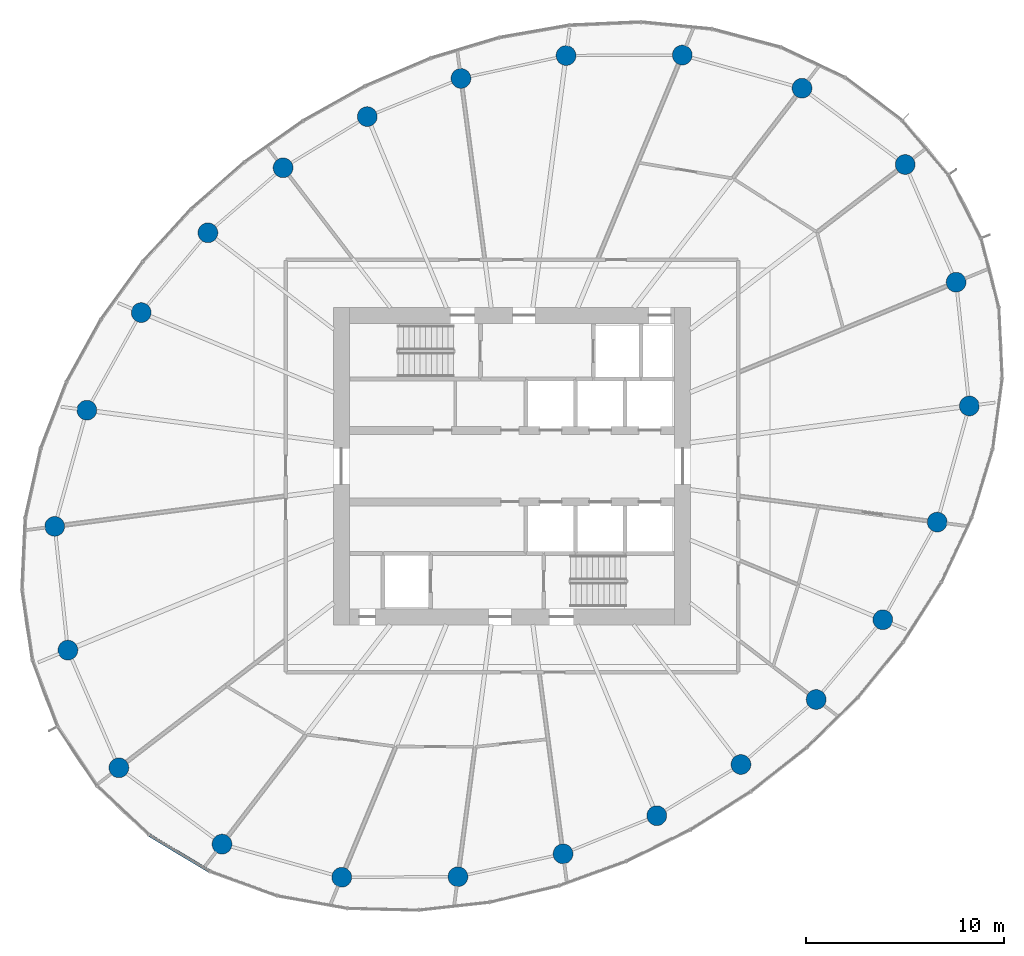
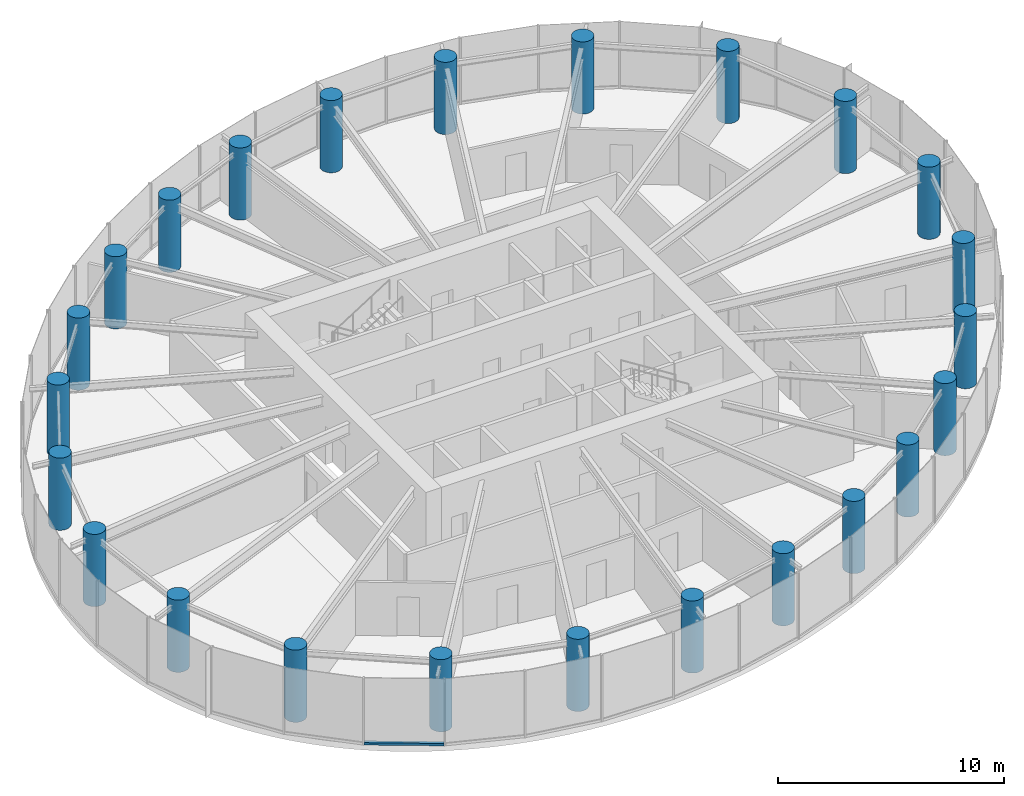
# One storey, part 1 of 14: 24 columns, 1 member, 1 element without a shape of its own.
"""IFC4 building model written with IfcOpenShell, lengths in metres."""

from ifc_helpers import new_model, si_unit, direction, frame, origin, origin_2d, place, context, subcontext, project, spatial, rectangle, circle, extrude, source, transform, mapped, material, layer, layer_set, material_profile, profile_set, type_object, element, aggregate, save


model = new_model("IFC4")

# Units and contexts
model_context = context("Model", 3, precision=1e-05, world=origin(), true_north=direction((0.0, 1.0)))
body_context = subcontext(model_context, "Body", "Model", "MODEL_VIEW")
ifc_project = project(units=[si_unit("LENGTHUNIT", "METRE"), si_unit("AREAUNIT", "SQUARE_METRE"), si_unit("VOLUMEUNIT", "CUBIC_METRE"), si_unit("PLANEANGLEUNIT", "RADIAN"), si_unit("MASSUNIT", "GRAM", prefix="KILO")], contexts=[model_context])

# Site, building, storey
site_placement = place(None, origin())
site = spatial("IfcSite", under=ifc_project, at=site_placement, CompositionType="ELEMENT")
building_placement = place(site_placement, origin())
building = spatial("IfcBuilding", under=site, at=building_placement, Name="Spindrift Exchange Tower", CompositionType="ELEMENT")
storey_placement = place(building_placement, frame((0.0, 0.0, 140.89990234375)))
storey = spatial("IfcBuildingStorey", under=building, at=storey_placement, Name="L33", CompositionType="ELEMENT", Elevation=140.89990234375)

# Columns
ifc_material_1 = material(Name="Concrete 50 MPa", Category="concrete")
ifc_material_profile_1 = material_profile(ifc_material_1, circle(Radius=0.5, at=origin_2d()), Name="RC D1000")
ifc_profile_set_1 = profile_set([ifc_material_profile_1], Name="Concrete 50 MPa")
column_type = type_object("IfcColumnType", Name="RC Perimeter Column D1000 Concrete 50 MPa", PredefinedType="COLUMN", material=ifc_profile_set_1)
shared_shape_1 = source(origin(), body_context, "Body", "SweptSolid", [
    extrude(circle(Radius=0.5, at=origin_2d()), origin(), (0.0, 0.0, 1.0), 3.900146484375),
])
for number, where, z_axis, x_axis, name in (
    (1, (75.06201171875, 51.0361328125, 0.0), (0.0, 0.0, 1.0), (1.0, 0.0, 0.0), "Perimeter column P3-01 L33"),
    (2, (74.396728515625, 57.277099609375, 0.0), (0.0, 0.0, 1.0), (1.0, 0.0, 0.0), "Perimeter column P3-02 L33"),
    (3, (71.825927734375, 63.212890625, 0.0), (0.0, 0.0, 1.0), (1.0, 0.0, 0.0), "Perimeter column P3-03 L33"),
    (4, (66.625, 67.0595703125, 0.0), (0.0, 0.0, 1.0), (1.0, 0.0, 0.0), "Perimeter column P3-04 L33"),
    (5, (60.5869140625, 68.73095703125, 0.0), (0.0, 0.0, 1.0), (1.0, 0.0, 0.0), "Perimeter column P3-05 L33"),
    (6, (54.725830078125, 68.705322265625, 0.0), (0.0, 0.0, 1.0), (1.0, 0.0, 0.0), "Perimeter column P3-06 L33"),
    (7, (49.426025390625, 67.55126953125, 0.0), (0.0, 0.0, 1.0), (1.0, 0.0, 0.0), "Perimeter column P3-07 L33"),
    (8, (44.69921875, 65.625732421875, 0.0), (0.0, 0.0, 1.0), (1.0, 0.0, 0.0), "Perimeter column P3-08 L33"),
    (9, (40.4560546875, 63.04443359375, 0.0), (0.0, 0.0, 1.0), (1.0, 0.0, 0.0), "Perimeter column P3-09 L33"),
    (10, (36.663818359375, 59.76806640625, 0.0), (0.0, 0.0, 1.0), (1.0, 0.0, 0.0), "Perimeter column P3-10 L33"),
    (11, (33.30078125, 55.74560546875, 0.0), (0.0, 0.0, 1.0), (1.0, 0.0, 0.0), "Perimeter column P3-11 L33"),
    (12, (30.55908203125, 50.82275390625, 0.0), (0.0, 0.0, 1.0), (1.0, 0.0, 0.0), "Perimeter column P3-12 L33"),
    (13, (28.93798828125, 44.9638671875, 0.0), (0.0, 0.0, 1.0), (1.0, 0.0, 0.0), "Perimeter column P3-13 L33"),
    (14, (29.603271484375, 38.722900390625, 0.0), (0.0, 0.0, 1.0), (1.0, 0.0, 0.0), "Perimeter column P3-14 L33"),
    (15, (32.174072265625, 32.787109375, 0.0), (0.0, 0.0, 1.0), (1.0, 0.0, 0.0), "Perimeter column P3-15 L33"),
    (16, (37.375, 28.9404296875, 0.0), (0.0, 0.0, 1.0), (1.0, 0.0, 0.0), "Perimeter column P3-16 L33"),
    (17, (43.4130859375, 27.26904296875, 0.0), (0.0, 0.0, 1.0), (1.0, 0.0, 0.0), "Perimeter column P3-17 L33"),
    (18, (49.274169921875, 27.294677734375, 0.0), (0.0, 0.0, 1.0), (1.0, 0.0, 0.0), "Perimeter column P3-18 L33"),
    (19, (54.573974609375, 28.44873046875, 0.0), (0.0, 0.0, 1.0), (1.0, 0.0, 0.0), "Perimeter column P3-19 L33"),
    (20, (59.30078125, 30.374267578125, 0.0), (0.0, 0.0, 1.0), (1.0, 0.0, 0.0), "Perimeter column P3-20 L33"),
    (21, (63.5439453125, 32.95556640625, 0.0), (0.0, 0.0, 1.0), (1.0, 0.0, 0.0), "Perimeter column P3-21 L33"),
    (22, (67.336181640625, 36.23193359375, 0.0), (0.0, 0.0, 1.0), (1.0, 0.0, 0.0), "Perimeter column P3-22 L33"),
    (23, (70.69921875, 40.25439453125, 0.0), (0.0, 0.0, 1.0), (1.0, 0.0, 0.0), "Perimeter column P3-23 L33"),
    (24, (73.44091796875, 45.17724609375, 0.0), (0.0, 0.0, 1.0), (1.0, 0.0, 0.0), "Perimeter column P3-24 L33"),
):
    element("IfcColumn", number, at=place(storey_placement, frame(where, z_axis=z_axis, x_axis=x_axis)), inside=storey, type_object=column_type, Name=name, PredefinedType="COLUMN", context=body_context, shape_type="MappedRepresentation", body=[
        mapped(shared_shape_1, transform((0.0, 0.0, 0.0), scale=1.0)),
    ])

# Curtain wall, member
ifc_material_2 = material(Name="Fritted laminated glass with bronze frame", Category="glass")
ifc_layer = layer(ifc_material_2, 0.179931640625)
ifc_layer_set = layer_set([ifc_layer], Name="ZONE 3 BRONZE FRITTED WALL")
curtain_wall_type = type_object("IfcCurtainWallType", Name="ZONE 3 BRONZE FRITTED WALL", PredefinedType="NOTDEFINED", material=ifc_layer_set)
curtain_wall_placement = place(storey_placement, origin())
curtain_wall = element("IfcCurtainWall", 25, at=curtain_wall_placement, inside=storey, type_object=curtain_wall_type, Name="L33 Zone 3 Bronze Fritted Wall run 4", PredefinedType="NOTDEFINED")
ifc_material_3 = material(Name="Bronze anodised aluminium", Category="aluminium")
ifc_material_profile_2 = material_profile(ifc_material_3, rectangle(XDim=0.159912109375, YDim=0.1298828125, at=origin_2d()), Name="ZONE 3 BRONZE FRITTED WALL TRANSOM 160X130")
ifc_profile_set_2 = profile_set([ifc_material_profile_2], Name="Bronze anodised aluminium")
member_type = type_object("IfcMemberType", Name="ZONE 3 BRONZE FRITTED WALL TRANSOM 160X130", PredefinedType="USERDEFINED", material=ifc_profile_set_2)
shared_shape_2 = source(origin(), body_context, "Body", "SweptSolid", [
    extrude(rectangle(XDim=0.159912109375, YDim=0.1298828125, at=origin_2d()), origin(), (0.0, 0.0, 1.0), 3.5263671875),
])
member_placement = place(storey_placement, frame((33.72314453125, 29.38916015625, 0.065185546875), z_axis=(0.857254587587, -0.514892777248, 0.0), x_axis=(0.514892777248, 0.857254587587, 0.0)))
member = element("IfcMember", 26, at=member_placement, type_object=member_type, Name="L33 transom CW-3.23", ObjectType="TRANSOM", PredefinedType="USERDEFINED", context=body_context, shape_type="MappedRepresentation", body=[
    mapped(shared_shape_2, transform((0.0, 0.0, 0.0), scale=1.0)),
])
aggregate(curtain_wall, [member])

save(model, "model.ifc")
